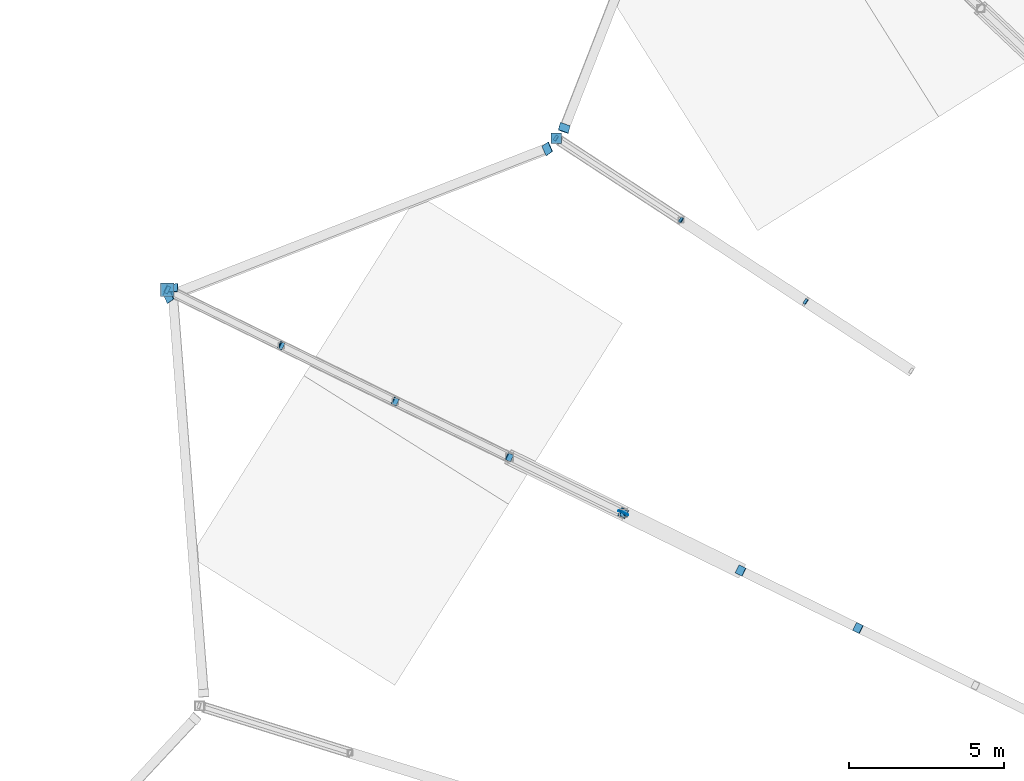
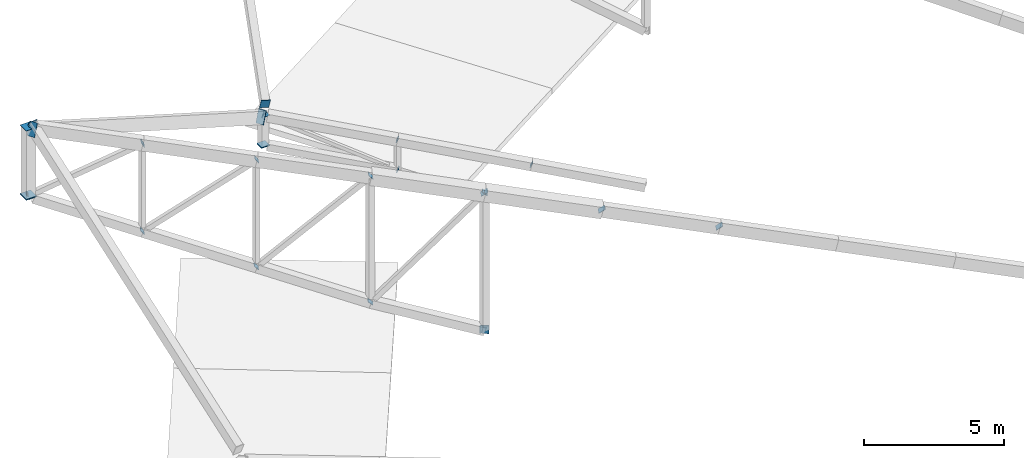
# One storey, part 161 of 188: 27 discrete accessories.
"""IFC4 building model written with IfcOpenShell, lengths in metres."""

from ifc_helpers import new_model, si_unit, direction, frame, origin, origin_2d, place, context, subcontext, project, spatial, rectangle, extrude, material, material_profile, profile_set, type_object, element, save


model = new_model("IFC4")

# Units and contexts
model_context = context("Model", 3, precision=1e-05, world=origin(), true_north=direction((0.0, 1.0)))
body_context = subcontext(model_context, "Body", "Model", "MODEL_VIEW")
ifc_project = project(units=[si_unit("LENGTHUNIT", "METRE"), si_unit("AREAUNIT", "SQUARE_METRE"), si_unit("VOLUMEUNIT", "CUBIC_METRE"), si_unit("PLANEANGLEUNIT", "RADIAN"), si_unit("MASSUNIT", "GRAM", prefix="KILO")], contexts=[model_context])

# Site, building, storey
site_placement = place(None, origin())
site = spatial("IfcSite", under=ifc_project, at=site_placement, CompositionType="ELEMENT")
building_placement = place(site_placement, origin())
building = spatial("IfcBuilding", under=site, at=building_placement, Name="Meseta Stadium", CompositionType="ELEMENT")
storey_placement = place(building_placement, frame((0.0, 0.0, 30.0)))
storey = spatial("IfcBuildingStorey", under=building, at=storey_placement, Name="ROOF", CompositionType="ELEMENT", Elevation=30.0)

# Discrete accessories
ifc_material_1 = material(Name="Steel S355", Category="steel")
ifc_material_profile_1 = material_profile(ifc_material_1, rectangle(XDim=0.179931640625, YDim=0.179931640625, at=origin_2d()), Name="PL 180x180")
ifc_profile_set_1 = profile_set([ifc_material_profile_1], Name="Steel S355")
discrete_accessory_type_1 = type_object("IfcDiscreteAccessoryType", Name="End plate 180x180x20", PredefinedType="ANCHORPLATE", material=ifc_profile_set_1)
for number, where, z_axis, x_axis, name in (
    (1, (-72.31201171875, 79.091064453125, 1.80126953125), (-0.745790378384, 0.489042871072, 0.452364655741), (-0.54835696222, -0.836244367386, 0.0), "End plate of ROOF TRUSS RT-25 diagonal"),
    (2, (-76.338623046875, 81.728271484375, 2.696533203125), (-0.763650388566, 0.496978824305, 0.412128781131), (-0.545455886295, -0.8381395326, 0.0), "End plate of ROOF TRUSS RT-25 diagonal"),
    (3, (-76.323486328125, 81.71826171875, 1.38818359375), (-0.758526841724, 0.50160645985, 0.415966332558), (-0.551591691077, -0.834114264555, 0.0), "End plate of ROOF TRUSS RT-25 diagonal"),
):
    element("IfcDiscreteAccessory", number, at=place(storey_placement, frame(where, z_axis=z_axis, x_axis=x_axis)), inside=storey, type_object=discrete_accessory_type_1, Name=name, PredefinedType="ANCHORPLATE", context=body_context, shape_type="SweptSolid", body=[
        extrude(rectangle(XDim=0.179931640625, YDim=0.179931640625, at=origin_2d()), origin(), (0.0, 0.0, 1.0), 0.02001953125),
    ])
discrete_accessory_1_placement = place(storey_placement, frame((-80.365478515625, 84.365478515625, 3.591796875), z_axis=(-0.763167244072, 0.492365963917, 0.41851106933), x_axis=(-0.542126869822, -0.840296648224, 0.0)))
element("IfcDiscreteAccessory", 4, at=discrete_accessory_1_placement, inside=storey, type_object=discrete_accessory_type_1, Name="End plate of ROOF TRUSS RT-25 diagonal", PredefinedType="ANCHORPLATE", context=body_context, shape_type="SweptSolid", body=[
    extrude(rectangle(XDim=0.179931640625, YDim=0.179931640625, at=origin_2d()), origin(), (0.0, 0.0, 1.0), 0.019775390625),
])
ifc_material_2 = material(Name="Steel S355", Category="steel")
ifc_material_profile_2 = material_profile(ifc_material_2, rectangle(XDim=0.239990234375, YDim=0.239990234375, at=origin_2d()), Name="PL 240x240")
ifc_profile_set_2 = profile_set([ifc_material_profile_2], Name="Steel S355")
discrete_accessory_type_2 = type_object("IfcDiscreteAccessoryType", Name="End plate 240x240x20", PredefinedType="ANCHORPLATE", material=ifc_profile_set_2)
for number, where, z_axis, x_axis, name in (
    (5, (-78.18603515625, 72.26611328125, 6.781494140625), (-0.598719645157, 0.293250438444, -0.745344864379), (-0.43986744881, -0.898062707987, 0.0), "End plate of ROOF TRUSS RT-26 diagonal"),
    (6, (-81.87548828125, 74.072509765625, 2.187744140625), (-0.598719645157, 0.293250438444, -0.745344864379), (-0.43986744881, -0.898062707987, 0.0), "End plate of ROOF TRUSS RT-26 diagonal"),
):
    element("IfcDiscreteAccessory", number, at=place(storey_placement, frame(where, z_axis=z_axis, x_axis=x_axis)), inside=storey, type_object=discrete_accessory_type_2, Name=name, PredefinedType="ANCHORPLATE", context=body_context, shape_type="SweptSolid", body=[
        extrude(rectangle(XDim=0.239990234375, YDim=0.239990234375, at=origin_2d()), origin(), (0.0, 0.0, 1.0), 0.02001953125),
    ])
discrete_accessory_2_placement = place(storey_placement, frame((-81.8623046875, 74.066162109375, 7.69580078125), z_axis=(-0.663839656102, 0.319626501086, -0.676132983066), x_axis=(-0.433815618773, -0.901001669759, 0.0)))
element("IfcDiscreteAccessory", 7, at=discrete_accessory_2_placement, inside=storey, type_object=discrete_accessory_type_2, Name="End plate of ROOF TRUSS RT-26 diagonal", PredefinedType="ANCHORPLATE", context=body_context, shape_type="SweptSolid", body=[
    extrude(rectangle(XDim=0.239990234375, YDim=0.239990234375, at=origin_2d()), origin(), (0.0, 0.0, 1.0), 0.019775390625),
])
for number, where, z_axis, x_axis, name in (
    (8, (-85.55322265625, 75.873291015625, 3.93505859375), (-0.661196951971, 0.330598475985, -0.67344133997), (-0.4472135955, -0.894427191, 0.0), "End plate of ROOF TRUSS RT-26 diagonal"),
    (9, (-85.53857421875, 75.8662109375, 8.609619140625), (-0.735767207382, 0.355620816901, -0.576350979116), (-0.43516866054, -0.900348952842, 0.0), "End plate of ROOF TRUSS RT-26 diagonal"),
    (10, (-89.23095703125, 77.673828125, 5.682373046875), (-0.727392967453, 0.363696483727, -0.581914373963), (-0.4472135955, -0.894427191, 0.0), "End plate of ROOF TRUSS RT-26 diagonal"),
    (11, (-89.21484375, 77.666015625, 9.52294921875), (-0.803385929947, 0.389520450884, -0.450383021334), (-0.436273506519, -0.899814107196, 0.0), "End plate of ROOF TRUSS RT-26 diagonal"),
):
    element("IfcDiscreteAccessory", number, at=place(storey_placement, frame(where, z_axis=z_axis, x_axis=x_axis)), inside=storey, type_object=discrete_accessory_type_2, Name=name, PredefinedType="ANCHORPLATE", context=body_context, shape_type="SweptSolid", body=[
        extrude(rectangle(XDim=0.239990234375, YDim=0.239990234375, at=origin_2d()), origin(), (0.0, 0.0, 1.0), 0.02001953125),
    ])
discrete_accessory_3_placement = place(storey_placement, frame((-92.908447265625, 79.474609375, 7.4296875), z_axis=(-0.798958877053, 0.387374000995, -0.460006626182), x_axis=(-0.436273506519, -0.899814107196, 0.0)))
element("IfcDiscreteAccessory", 12, at=discrete_accessory_3_placement, inside=storey, type_object=discrete_accessory_type_2, Name="End plate of ROOF TRUSS RT-26 diagonal", PredefinedType="ANCHORPLATE", context=body_context, shape_type="SweptSolid", body=[
    extrude(rectangle(XDim=0.239990234375, YDim=0.239990234375, at=origin_2d()), origin(), (0.0, 0.0, 1.0), 0.020263671875),
])
ifc_material_3 = material(Name="Steel S355", Category="steel")
ifc_material_profile_3 = material_profile(ifc_material_3, rectangle(XDim=0.2900390625, YDim=0.2900390625, at=origin_2d()), Name="PL 290x290")
ifc_profile_set_3 = profile_set([ifc_material_profile_3], Name="Steel S355")
discrete_accessory_type_3 = type_object("IfcDiscreteAccessoryType", Name="End plate 290x290x20", PredefinedType="ANCHORPLATE", material=ifc_profile_set_3)
for number, where, z_axis, x_axis, name in (
    (13, (-70.622314453125, 68.562744140625, 4.88037109375), (-0.534522483825, 0.267261241912, 0.801783725737), (-0.4472135955, -0.894427191, 0.0), "End plate of ROOF TRUSS RT-26 diagonal"),
    (14, (-74.41015625, 70.41748046875, 5.823486328125), (-0.500707925389, 0.244247768482, 0.83044241284), (-0.438423632021, -0.898768445644, 0.0), "End plate of ROOF TRUSS RT-26 diagonal"),
    (15, (-78.197998046875, 72.27197265625, 6.7666015625), (-0.478500593525, 0.233115673769, 0.84657797316), (-0.43796942328, -0.898989868837, 0.0), "End plate of ROOF TRUSS RT-26 diagonal"),
):
    element("IfcDiscreteAccessory", number, at=place(storey_placement, frame(where, z_axis=z_axis, x_axis=x_axis)), inside=storey, type_object=discrete_accessory_type_3, Name=name, PredefinedType="ANCHORPLATE", context=body_context, shape_type="SweptSolid", body=[
        extrude(rectangle(XDim=0.2900390625, YDim=0.2900390625, at=origin_2d()), origin(), (0.0, 0.0, 1.0), 0.02001953125),
    ])
ifc_material_4 = material(Name="Steel S355", Category="steel")
ifc_material_profile_4 = material_profile(ifc_material_4, rectangle(XDim=0.340087890625, YDim=0.340087890625, at=origin_2d()), Name="PL 340x340")
ifc_profile_set_4 = profile_set([ifc_material_profile_4], Name="Steel S355")
discrete_accessory_type_4 = type_object("IfcDiscreteAccessoryType", Name="End plate 340x340x20", PredefinedType="ANCHORPLATE", material=ifc_profile_set_4)
for number, where, z_axis, x_axis, name in (
    (16, (-80.365478515625, 84.365478515625, 2.271728515625), (0.0, 0.0, 1.0), (1.0, 0.0, 0.0), "End plate of ROOF TRUSS RT-25 post"),
    (17, (-80.365478515625, 84.365478515625, 3.591796875), (0.0, 0.0, 1.0), (1.0, 0.0, 0.0), "End plate of ROOF TRUSS RT-25 post"),
    (18, (-80.365478515625, 84.365478515625, 2.291748046875), (0.0, 0.0, 1.0), (1.0, 0.0, 0.0), "End plate of ROOF RIM POST RT-25"),
    (19, (-78.197998046875, 72.27197265625, 0.785400390625), (-0.649342091356, -0.75960772951, 0.036755212718), (0.760121344352, -0.649781149204, 0.0), "End plate of ROOF PIVOT STRUT RT-25/26"),
    (20, (-78.18994140625, 72.290283203125, 0.785888671875), (-0.402618698047, -0.91504249556, -0.024401133215), (0.915315032423, -0.402738614266, 0.0), "End plate of ROOF PIVOT STRUT RT-26/27"),
):
    element("IfcDiscreteAccessory", number, at=place(storey_placement, frame(where, z_axis=z_axis, x_axis=x_axis)), inside=storey, type_object=discrete_accessory_type_4, Name=name, PredefinedType="ANCHORPLATE", context=body_context, shape_type="SweptSolid", body=[
        extrude(rectangle(XDim=0.340087890625, YDim=0.340087890625, at=origin_2d()), origin(), (0.0, 0.0, 1.0), 0.02001953125),
    ])
ifc_material_5 = material(Name="Steel S355", Category="steel")
ifc_material_profile_5 = material_profile(ifc_material_5, rectangle(XDim=0.340087890625, YDim=0.5400390625, at=origin_2d()), Name="PL 340x540")
ifc_profile_set_5 = profile_set([ifc_material_profile_5], Name="Steel S355")
discrete_accessory_type_5 = type_object("IfcDiscreteAccessoryType", Name="End plate 340x540x20", PredefinedType="ANCHORPLATE", material=ifc_profile_set_5)
discrete_accessory_4_placement = place(storey_placement, frame((-80.1025390625, 84.704833984375, 3.783935546875), z_axis=(-0.318377955294, -0.832680806153, -0.453076320995), x_axis=(0.941123411908, -0.334954998173, -0.045736995509)))
element("IfcDiscreteAccessory", 21, at=discrete_accessory_4_placement, inside=storey, type_object=discrete_accessory_type_5, Name="End plate of RIM RING BEAM 25", PredefinedType="ANCHORPLATE", context=body_context, shape_type="SweptSolid", body=[
    extrude(rectangle(XDim=0.340087890625, YDim=0.5400390625, at=origin_2d()), origin(), (0.0, 0.0, 1.0), 0.02001953125),
])
discrete_accessory_5_placement = place(storey_placement, frame((-80.64306640625, 84.0283203125, 3.80029296875), z_axis=(-0.837275897082, -0.320134901826, 0.44326371022), x_axis=(0.40299500397, -0.909209505304, 0.104561475891)))
element("IfcDiscreteAccessory", 22, at=discrete_accessory_5_placement, inside=storey, type_object=discrete_accessory_type_5, Name="End plate of RIM RING BEAM 26", PredefinedType="ANCHORPLATE", context=body_context, shape_type="SweptSolid", body=[
    extrude(rectangle(XDim=0.340087890625, YDim=0.5400390625, at=origin_2d()), origin(), (0.0, 0.0, 1.0), 0.019775390625),
])
for number, where, z_axis, x_axis, name in (
    (23, (-92.86181640625, 79.263916015625, 10.42431640625), (-0.836378997001, -0.315157303218, 0.448493085348), (0.399157369113, -0.910935642244, 0.104257615418), "End plate of RIM RING BEAM 26"),
    (24, (-92.744873046875, 79.54541015625, 10.419189453125), (0.060980144439, -0.890310108805, -0.451253068847), (0.998134526332, 0.053041790259, 0.03023302548), "End plate of RIM RING BEAM 27"),
):
    element("IfcDiscreteAccessory", number, at=place(storey_placement, frame(where, z_axis=z_axis, x_axis=x_axis)), inside=storey, type_object=discrete_accessory_type_5, Name=name, PredefinedType="ANCHORPLATE", context=body_context, shape_type="SweptSolid", body=[
        extrude(rectangle(XDim=0.340087890625, YDim=0.5400390625, at=origin_2d()), origin(), (0.0, 0.0, 1.0), 0.02001953125),
    ])
ifc_material_6 = material(Name="Steel S355", Category="steel")
ifc_material_profile_6 = material_profile(ifc_material_6, rectangle(XDim=0.43994140625, YDim=0.43994140625, at=origin_2d()), Name="PL 440x440")
ifc_profile_set_6 = profile_set([ifc_material_profile_6], Name="Steel S355")
discrete_accessory_type_6 = type_object("IfcDiscreteAccessoryType", Name="End plate 440x440x20", PredefinedType="ANCHORPLATE", material=ifc_profile_set_6)
discrete_accessory_6_placement = place(storey_placement, frame((-92.908447265625, 79.474609375, 7.40966796875), z_axis=(0.0, 0.0, 1.0), x_axis=(1.0, 0.0, 0.0)))
element("IfcDiscreteAccessory", 25, at=discrete_accessory_6_placement, inside=storey, type_object=discrete_accessory_type_6, Name="End plate of ROOF TRUSS RT-26 post", PredefinedType="ANCHORPLATE", context=body_context, shape_type="SweptSolid", body=[
    extrude(rectangle(XDim=0.43994140625, YDim=0.43994140625, at=origin_2d()), origin(), (0.0, 0.0, 1.0), 0.02001953125),
])
for number, where, z_axis, x_axis, name in (
    (26, (-92.908447265625, 79.474609375, 10.4296875), (0.0, 0.0, 1.0), (1.0, 0.0, 0.0), "End plate of ROOF TRUSS RT-26 post"),
    (27, (-92.908447265625, 79.474609375, 7.4296875), (0.0, 0.0, 1.0), (1.0, 0.0, 0.0), "End plate of ROOF RIM POST RT-26"),
):
    element("IfcDiscreteAccessory", number, at=place(storey_placement, frame(where, z_axis=z_axis, x_axis=x_axis)), inside=storey, type_object=discrete_accessory_type_6, Name=name, PredefinedType="ANCHORPLATE", context=body_context, shape_type="SweptSolid", body=[
        extrude(rectangle(XDim=0.43994140625, YDim=0.43994140625, at=origin_2d()), origin(), (0.0, 0.0, 1.0), 0.019775390625),
    ])

save(model, "model.ifc")
